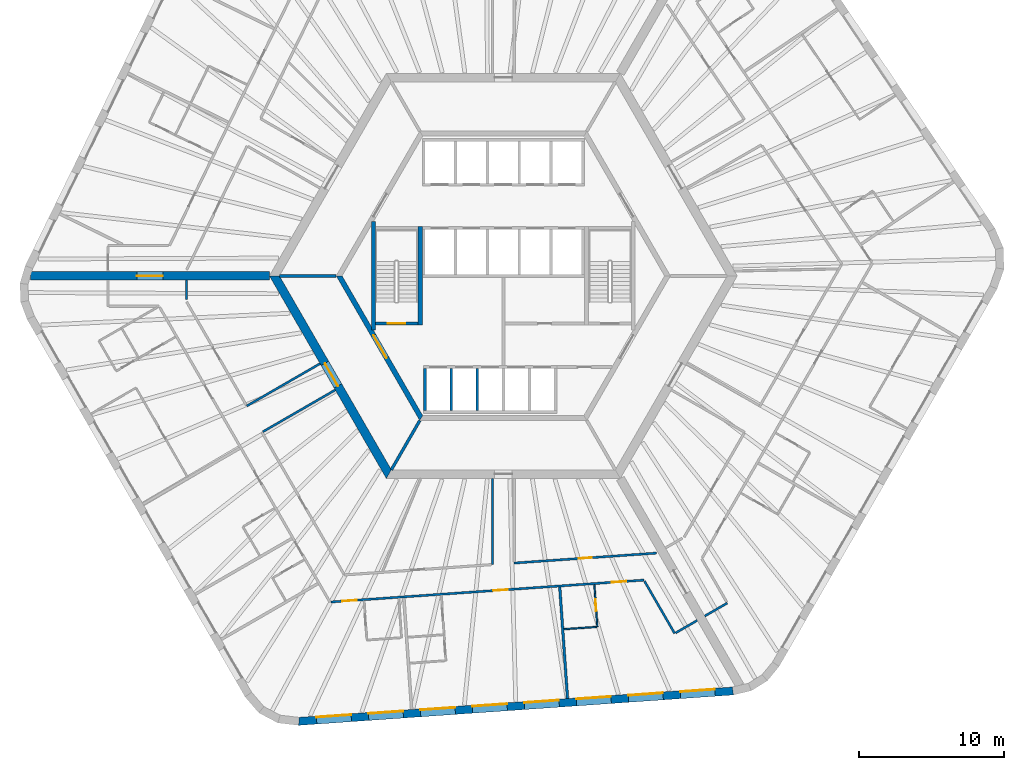
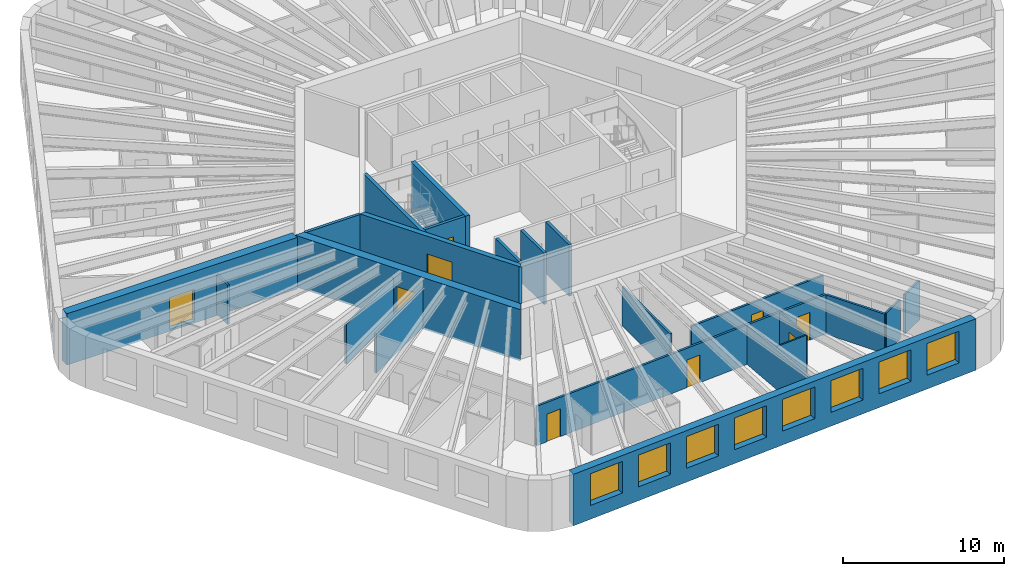
# One storey, part 4 of 12: 24 walls, 9 doors, 8 windows, 17 openings.
"""IFC4 building model written with IfcOpenShell, lengths in metres."""

from ifc_helpers import new_model, si_unit, direction, frame, frame_2d, origin, place, context, subcontext, project, spatial, polyline, rectangle, outline, extrude, material, layer, layer_set, type_object, element, fill, save


model = new_model("IFC4")

# Units and contexts
model_context = context("Model", 3, precision=1e-05, world=origin(), true_north=direction((0.0, 1.0)))
body_context = subcontext(model_context, "Body", "Model", "MODEL_VIEW")
ifc_project = project(units=[si_unit("LENGTHUNIT", "METRE"), si_unit("AREAUNIT", "SQUARE_METRE"), si_unit("VOLUMEUNIT", "CUBIC_METRE"), si_unit("PLANEANGLEUNIT", "RADIAN"), si_unit("MASSUNIT", "GRAM", prefix="KILO")], contexts=[model_context])

# Site, building, storey
site_placement = place(None, origin())
site = spatial("IfcSite", under=ifc_project, at=site_placement, CompositionType="ELEMENT")
building_placement = place(site_placement, origin())
building = spatial("IfcBuilding", under=site, at=building_placement, Name="Tarnside Tower", CompositionType="ELEMENT")
storey_placement = place(building_placement, frame((0.0, 0.0, 88.199951171875)))
storey = spatial("IfcBuildingStorey", under=building, at=storey_placement, Name="L19", CompositionType="ELEMENT", Elevation=88.199951171875)

# Wall, opening, door
ifc_material_1 = material(Name="Gypsum board partition on steel studs", Category="steel")
ifc_layer_1 = layer(ifc_material_1, 0.10009765625)
ifc_layer_set_1 = layer_set([ifc_layer_1], Name="Bathroom wall 100")
wall_type_1 = type_object("IfcWallType", Name="Bathroom wall 100", PredefinedType="PARTITIONING", material=ifc_layer_set_1)
wall_1_placement = place(storey_placement, frame((6.292724609375, -21.338134765625, 0.0), z_axis=(0.0, 0.0, 1.0), x_axis=(0.069781781132, -0.997562280272, 0.0)))
wall_1 = element("IfcWall", 1, at=wall_1_placement, inside=storey, type_object=wall_type_1, Name="Bathroom wall 05135", PredefinedType="PARTITIONING", context=body_context, shape_type="SweptSolid", body=[
    extrude(rectangle(XDim=2.9248046875, YDim=0.10009765625, at=frame_2d((1.46240234375, 0.0))), origin(), (0.0, 0.0, 1.0), 2.98779296875),
])
opening_1_placement = place(wall_1_placement, frame((1.02490234375, 0.0, 0.0)))
opening_1 = element("IfcOpeningElement", 2, at=opening_1_placement, cuts=wall_1, Name="Opening D-B1", PredefinedType="OPENING", context=body_context, shape_type="SweptSolid", body=[
    extrude(rectangle(XDim=0.800048828125, YDim=2.10009765625, at=frame_2d((0.39990234375, 1.050048828125))), frame((0.0, 0.06005859375, 0.0), z_axis=(0.0, -1.0, 0.0), x_axis=(1.0, 0.0, 0.0)), (0.0, 0.0, 1.0), 0.1201171875),
])
ifc_material_2 = material(Name="Timber door leaf", Category="wood")
door_type_1 = type_object("IfcDoorType", Name="Bathroom door 800", OperationType="NOTDEFINED", PredefinedType="DOOR", material=ifc_material_2)
door_1_placement = place(opening_1_placement, origin())
door_1 = element("IfcDoor", 3, at=door_1_placement, inside=storey, type_object=door_type_1, Name="Bathroom door 05029", OperationType="SINGLE_SWING_RIGHT", OverallHeight=2.10009765625, OverallWidth=0.800048828125, PredefinedType="DOOR", context=body_context, shape_type="SweptSolid", body=[
    extrude(rectangle(XDim=0.800048828125, YDim=2.10009765625, at=frame_2d((0.39990234375, 1.050048828125))), frame((0.0, 0.02490234375, 0.0), z_axis=(0.0, -1.0, 0.0), x_axis=(1.0, 0.0, 0.0)), (0.0, 0.0, 1.0), 0.050048828125),
])
fill(opening_1, door_1)

# Wall
wall_2_placement = place(storey_placement, frame((6.44677734375, -24.25927734375, 0.0), z_axis=(0.0, 0.0, 1.0), x_axis=(-0.997561825928, -0.069788275888, 0.0)))
element("IfcWall", 4, at=wall_2_placement, inside=storey, type_object=wall_type_1, Name="Bathroom wall 05136", PredefinedType="PARTITIONING", context=body_context, shape_type="SweptSolid", body=[
    extrude(rectangle(XDim=2.260009765625, YDim=0.10009765625, at=frame_2d((1.1298828125, 0.0))), origin(), (0.0, 0.0, 1.0), 2.98779296875),
])

# Wall, opening, door
ifc_material_3 = material(Name="Concrete C50/60", Category="concrete")
ifc_layer_2 = layer(ifc_material_3, 0.35009765625)
ifc_layer_set_2 = layer_set([ifc_layer_2], Name="Core block wall 350 C50/60")
wall_type_2 = type_object("IfcWallType", Name="Core block wall 350 C50/60", PredefinedType="SHEAR", material=ifc_layer_set_2)
wall_3_placement = place(storey_placement, frame((-11.344970703125, 0.0, -0.14990234375), z_axis=(0.0, 0.0, 1.0), x_axis=(0.499995046907, -0.866028263435, 0.0)))
wall_3 = element("IfcWall", 5, at=wall_3_placement, inside=storey, type_object=wall_type_2, Name="L19 core block wall face 3", PredefinedType="SHEAR", context=body_context, shape_type="SweptSolid", body=[
    extrude(outline(polyline([(-0.10107421875, -0.175048828125), (11.44580078125, -0.175048828125), (11.24365234375, 0.175048828125), (0.10107421875, 0.175048828125), (-0.10107421875, -0.175048828125)])), origin(), (0.0, 0.0, 1.0), 3.89990234375),
])
opening_2_placement = place(wall_3_placement, frame((4.74365234375, 0.0, 0.14990234375)))
opening_2 = element("IfcOpeningElement", 6, at=opening_2_placement, cuts=wall_3, Name="Opening CD-FFL", PredefinedType="OPENING", context=body_context, shape_type="SweptSolid", body=[
    extrude(rectangle(XDim=1.800048828125, YDim=2.39990234375, at=frame_2d((0.89990234375, 1.199951171875))), frame((0.0, 0.18505859375, 0.0), z_axis=(0.0, -1.0, 0.0), x_axis=(1.0, 0.0, 0.0)), (0.0, 0.0, 1.0), 0.3701171875),
])
ifc_material_4 = material(Name="Steel fire door", Category="steel")
door_type_2 = type_object("IfcDoorType", Name="Firefighting lobby double door FD60S 1800x2400", OperationType="NOTDEFINED", PredefinedType="DOOR", material=ifc_material_4)
door_2_placement = place(opening_2_placement, origin())
door_2 = element("IfcDoor", 7, at=door_2_placement, inside=storey, type_object=door_type_2, Name="L19 lobby block door P3", OperationType="DOUBLE_DOOR_SINGLE_SWING", OverallHeight=2.39990234375, OverallWidth=1.800048828125, PredefinedType="DOOR", context=body_context, shape_type="SweptSolid", body=[
    extrude(rectangle(XDim=1.800048828125, YDim=2.39990234375, at=frame_2d((0.89990234375, 1.199951171875))), frame((0.0, 0.02490234375, 0.0), z_axis=(0.0, -1.0, 0.0), x_axis=(1.0, 0.0, 0.0)), (0.0, 0.0, 1.0), 0.050048828125),
])
fill(opening_2, door_2)

ifc_material_5 = material(Name="Concrete C80/95", Category="concrete")
ifc_layer_3 = layer(ifc_material_5, 0.60009765625)
ifc_layer_set_3 = layer_set([ifc_layer_3], Name="Core wall Z1 600 C80/95")
wall_type_3 = type_object("IfcWallType", Name="Core wall Z1 600 C80/95", PredefinedType="SHEAR", material=ifc_layer_set_3)
wall_4_placement = place(storey_placement, frame((-15.8193359375, 0.0, -0.14990234375), z_axis=(0.0, 0.0, 1.0), x_axis=(0.499999880136, -0.866025472988, 0.0)))
wall_4 = element("IfcWall", 8, at=wall_4_placement, inside=storey, type_object=wall_type_3, Name="L19 core wall face 3", PredefinedType="SHEAR", context=body_context, shape_type="SweptSolid", body=[
    extrude(outline(polyline([(-0.17333984375, -0.300048828125), (15.99267578125, -0.300048828125), (15.64599609375, 0.300048828125), (0.17333984375, 0.300048828125), (-0.17333984375, -0.300048828125)])), origin(), (0.0, 0.0, 1.0), 3.89990234375),
])
opening_3_placement = place(wall_4_placement, frame((6.980712890625, 0.0, 0.14990234375)))
opening_3 = element("IfcOpeningElement", 9, at=opening_3_placement, cuts=wall_4, Name="Opening CD-FFL", PredefinedType="OPENING", context=body_context, shape_type="SweptSolid", body=[
    extrude(rectangle(XDim=1.800048828125, YDim=2.39990234375, at=frame_2d((0.89990234375, 1.199951171875))), frame((0.0, 0.31005859375, 0.0), z_axis=(0.0, -1.0, 0.0), x_axis=(1.0, 0.0, 0.0)), (0.0, 0.0, 1.0), 0.6201171875),
])
door_3_placement = place(opening_3_placement, origin())
door_3 = element("IfcDoor", 10, at=door_3_placement, inside=storey, type_object=door_type_2, Name="L19 core door P3", OperationType="DOUBLE_DOOR_SINGLE_SWING", OverallHeight=2.39990234375, OverallWidth=1.800048828125, PredefinedType="DOOR", context=body_context, shape_type="SweptSolid", body=[
    extrude(rectangle(XDim=1.800048828125, YDim=2.39990234375, at=frame_2d((0.89990234375, 1.199951171875))), frame((0.0, 0.02490234375, 0.0), z_axis=(0.0, -1.0, 0.0), x_axis=(1.0, 0.0, 0.0)), (0.0, 0.0, 1.0), 0.050048828125),
])
fill(opening_3, door_3)

wall_5_placement = place(storey_placement, frame((-16.165771484375, 0.0, -0.14990234375), z_axis=(0.0, 0.0, 1.0), x_axis=(-1.0, 0.0, 0.0)))
wall_5 = element("IfcWall", 11, at=wall_5_placement, inside=storey, type_object=wall_type_3, Name="L19 spine wall 2", PredefinedType="SHEAR", context=body_context, shape_type="SweptSolid", body=[
    extrude(rectangle(XDim=16.509033203125, YDim=0.60009765625, at=frame_2d((8.25439453125, 0.0))), origin(), (0.0, 0.0, 1.0), 3.89990234375),
])
opening_4_placement = place(wall_5_placement, frame((7.3544921875, 0.0, 0.14990234375)))
opening_4 = element("IfcOpeningElement", 12, at=opening_4_placement, cuts=wall_5, Name="Opening CD-SPN", PredefinedType="OPENING", context=body_context, shape_type="SweptSolid", body=[
    extrude(rectangle(XDim=1.800048828125, YDim=2.39990234375, at=frame_2d((0.89990234375, 1.199951171875))), frame((0.0, 0.31005859375, 0.0), z_axis=(0.0, -1.0, 0.0), x_axis=(1.0, 0.0, 0.0)), (0.0, 0.0, 1.0), 0.6201171875),
])
door_type_3 = type_object("IfcDoorType", Name="Spine passage double door FD60 1800x2400", OperationType="NOTDEFINED", PredefinedType="DOOR", material=ifc_material_4)
door_4_placement = place(opening_4_placement, origin())
door_4 = element("IfcDoor", 13, at=door_4_placement, inside=storey, type_object=door_type_3, Name="L19 spine passage door 2", OperationType="DOUBLE_DOOR_SINGLE_SWING", OverallHeight=2.39990234375, OverallWidth=1.800048828125, PredefinedType="DOOR", context=body_context, shape_type="SweptSolid", body=[
    extrude(rectangle(XDim=1.800048828125, YDim=2.39990234375, at=frame_2d((0.89990234375, 1.199951171875))), frame((0.0, 0.02490234375, 0.0), z_axis=(0.0, -1.0, 0.0), x_axis=(1.0, 0.0, 0.0)), (0.0, 0.0, 1.0), 0.050048828125),
])
fill(opening_4, door_4)

# Wall, openings, doors
ifc_layer_4 = layer(ifc_material_1, 0.14990234375)
ifc_layer_set_4 = layer_set([ifc_layer_4], Name="Corridor wall 150 EI 60")
wall_type_4 = type_object("IfcWallType", Name="Corridor wall 150 EI 60", PredefinedType="PARTITIONING", material=ifc_layer_set_4)
wall_6_placement = place(storey_placement, frame((-11.902099609375, -22.53515625, 0.0), z_axis=(0.0, 0.0, 1.0), x_axis=(0.997564081796, 0.069756022752, 0.0)))
wall_6 = element("IfcWall", 14, at=wall_6_placement, inside=storey, type_object=wall_type_4, Name="Corridor wall 05036", PredefinedType="PARTITIONING", context=body_context, shape_type="SweptSolid", body=[
    extrude(rectangle(XDim=21.66796875, YDim=0.14990234375, at=frame_2d((10.833984375, 0.0))), origin(), (0.0, 0.0, 1.0), 2.98779296875),
])
opening_5_placement = place(wall_6_placement, frame((0.775146484375, 0.0, 0.0)))
opening_5 = element("IfcOpeningElement", 15, at=opening_5_placement, cuts=wall_6, Name="Opening D-E1", PredefinedType="OPENING", context=body_context, shape_type="SweptSolid", body=[
    extrude(rectangle(XDim=1.0, YDim=2.10009765625, at=frame_2d((0.5, 1.050048828125))), frame((0.0, 0.0849609375, 0.0), z_axis=(0.0, -1.0, 0.0), x_axis=(1.0, 0.0, 0.0)), (0.0, 0.0, 1.0), 0.169921875),
])
opening_6_placement = place(wall_6_placement, frame((11.23388671875, 0.0, 0.0)))
opening_6 = element("IfcOpeningElement", 16, at=opening_6_placement, cuts=wall_6, Name="Opening D-E1", PredefinedType="OPENING", context=body_context, shape_type="SweptSolid", body=[
    extrude(rectangle(XDim=1.0, YDim=2.10009765625, at=frame_2d((0.5, 1.050048828125))), frame((0.0, 0.0849609375, 0.0), z_axis=(0.0, -1.0, 0.0), x_axis=(1.0, 0.0, 0.0)), (0.0, 0.0, 1.0), 0.169921875),
])
opening_7_placement = place(wall_6_placement, frame((19.450927734375, 0.0, 0.0)))
opening_7 = element("IfcOpeningElement", 17, at=opening_7_placement, cuts=wall_6, Name="Opening D-E1", PredefinedType="OPENING", context=body_context, shape_type="SweptSolid", body=[
    extrude(rectangle(XDim=1.0, YDim=2.10009765625, at=frame_2d((0.5, 1.050048828125))), frame((0.0, 0.0849609375, 0.0), z_axis=(0.0, -1.0, 0.0), x_axis=(1.0, 0.0, 0.0)), (0.0, 0.0, 1.0), 0.169921875),
])
door_type_4 = type_object("IfcDoorType", Name="Unit entrance door 1000 FD30S", OperationType="NOTDEFINED", PredefinedType="DOOR", material=ifc_material_2)
door_5_placement = place(opening_5_placement, origin())
door_5 = element("IfcDoor", 18, at=door_5_placement, inside=storey, type_object=door_type_4, Name="Unit door 05023", OperationType="SINGLE_SWING_RIGHT", OverallHeight=2.10009765625, OverallWidth=1.0, PredefinedType="DOOR", context=body_context, shape_type="SweptSolid", body=[
    extrude(rectangle(XDim=1.0, YDim=2.10009765625, at=frame_2d((0.5, 1.050048828125))), frame((0.0, 0.02490234375, 0.0), z_axis=(0.0, -1.0, 0.0), x_axis=(1.0, 0.0, 0.0)), (0.0, 0.0, 1.0), 0.050048828125),
])
fill(opening_5, door_5)
door_6_placement = place(opening_6_placement, origin())
door_6 = element("IfcDoor", 19, at=door_6_placement, inside=storey, type_object=door_type_4, Name="Unit door 05025", OperationType="SINGLE_SWING_LEFT", OverallHeight=2.10009765625, OverallWidth=1.0, PredefinedType="DOOR", context=body_context, shape_type="SweptSolid", body=[
    extrude(rectangle(XDim=1.0, YDim=2.10009765625, at=frame_2d((0.5, 1.050048828125))), frame((0.0, 0.02490234375, 0.0), z_axis=(0.0, -1.0, 0.0), x_axis=(1.0, 0.0, 0.0)), (0.0, 0.0, 1.0), 0.050048828125),
])
fill(opening_6, door_6)
door_7_placement = place(opening_7_placement, origin())
door_7 = element("IfcDoor", 20, at=door_7_placement, inside=storey, type_object=door_type_4, Name="Unit door 05028", OperationType="SINGLE_SWING_LEFT", OverallHeight=2.10009765625, OverallWidth=1.0, PredefinedType="DOOR", context=body_context, shape_type="SweptSolid", body=[
    extrude(rectangle(XDim=1.0, YDim=2.10009765625, at=frame_2d((0.5, 1.050048828125))), frame((0.0, 0.02490234375, 0.0), z_axis=(0.0, -1.0, 0.0), x_axis=(1.0, 0.0, 0.0)), (0.0, 0.0, 1.0), 0.050048828125),
])
fill(opening_7, door_7)

# Walls
wall_7_placement = place(storey_placement, frame((9.7548828125, -21.095947265625, 0.0), z_axis=(0.0, 0.0, 1.0), x_axis=(0.499995902753, -0.866027769318, 0.0)))
element("IfcWall", 21, at=wall_7_placement, inside=storey, type_object=wall_type_4, Name="Corridor wall 05042", PredefinedType="PARTITIONING", context=body_context, shape_type="SweptSolid", body=[
    extrude(rectangle(XDim=4.17333984375, YDim=0.14990234375, at=frame_2d((2.086669921875, 0.0))), origin(), (0.0, 0.0, 1.0), 2.98779296875),
])
wall_8_placement = place(storey_placement, frame((11.906494140625, -24.672607421875, 0.0), z_axis=(0.0, 0.0, 1.0), x_axis=(0.866013532718, 0.500020560727, 0.0)))
element("IfcWall", 22, at=wall_8_placement, inside=storey, type_object=wall_type_4, Name="Corridor wall 05043", PredefinedType="PARTITIONING", context=body_context, shape_type="SweptSolid", body=[
    extrude(rectangle(XDim=1.72509765625, YDim=0.14990234375, at=frame_2d((0.862548828125, 0.0))), origin(), (0.0, 0.0, 1.0), 2.98779296875),
])
wall_9_placement = place(storey_placement, frame((-12.663818359375, -6.065673828125, 0.0), z_axis=(0.0, 0.0, 1.0), x_axis=(-0.866018092707, -0.500012662943, 0.0)))
element("IfcWall", 23, at=wall_9_placement, inside=storey, type_object=wall_type_4, Name="Corridor wall 05045", PredefinedType="PARTITIONING", context=body_context, shape_type="SweptSolid", body=[
    extrude(rectangle(XDim=5.849853515625, YDim=0.14990234375, at=frame_2d((2.9248046875, 0.0))), origin(), (0.0, 0.0, 1.0), 2.98779296875),
])
wall_10_placement = place(storey_placement, frame((-21.88525390625, -1.643798828125, 0.0), z_axis=(0.0, 0.0, 1.0), x_axis=(0.0, 1.0, 0.0)))
element("IfcWall", 24, at=wall_10_placement, inside=storey, type_object=wall_type_4, Name="Corridor wall 05047", PredefinedType="PARTITIONING", context=body_context, shape_type="SweptSolid", body=[
    extrude(rectangle(XDim=1.34375, YDim=0.14990234375, at=frame_2d((0.671875, 0.0))), origin(), (0.0, 0.0, 1.0), 2.98779296875),
])
wall_11_placement = place(storey_placement, frame((-0.75, -14.0, 0.0), z_axis=(0.0, 0.0, 1.0), x_axis=(0.0, -1.0, 0.0)))
element("IfcWall", 25, at=wall_11_placement, inside=storey, type_object=wall_type_4, Name="Corridor wall 05048", PredefinedType="PARTITIONING", context=body_context, shape_type="SweptSolid", body=[
    extrude(rectangle(XDim=5.950927734375, YDim=0.14990234375, at=frame_2d((2.9755859375, 0.0))), origin(), (0.0, 0.0, 1.0), 2.98779296875),
])
wall_12_placement = place(storey_placement, frame((-16.614990234375, -10.771728515625, 0.0), z_axis=(0.0, 0.0, 1.0), x_axis=(0.866025774745, 0.499999357477, 0.0)))
element("IfcWall", 26, at=wall_12_placement, inside=storey, type_object=wall_type_4, Name="Corridor wall 05052", PredefinedType="PARTITIONING", context=body_context, shape_type="SweptSolid", body=[
    extrude(rectangle(XDim=5.77490234375, YDim=0.14990234375, at=frame_2d((2.887451171875, 0.0))), origin(), (0.0, 0.0, 1.0), 2.98779296875),
])

# Wall, opening, door
wall_13_placement = place(storey_placement, frame((10.58740234375, -19.158203125, 0.0), z_axis=(0.0, 0.0, 1.0), x_axis=(-0.997565137136, -0.069740928955, 0.0)))
wall_13 = element("IfcWall", 27, at=wall_13_placement, inside=storey, type_object=wall_type_4, Name="Corridor wall 05053", PredefinedType="PARTITIONING", context=body_context, shape_type="SweptSolid", body=[
    extrude(rectangle(XDim=9.861328125, YDim=0.14990234375, at=frame_2d((4.9306640625, 0.0))), origin(), (0.0, 0.0, 1.0), 2.98779296875),
])
opening_8_placement = place(wall_13_placement, frame((4.480712890625, 0.0, 0.0)))
opening_8 = element("IfcOpeningElement", 28, at=opening_8_placement, cuts=wall_13, Name="Opening D-S1", PredefinedType="OPENING", context=body_context, shape_type="SweptSolid", body=[
    extrude(rectangle(XDim=0.89990234375, YDim=2.10009765625, at=frame_2d((0.449951171875, 1.050048828125))), frame((0.0, 0.0849609375, 0.0), z_axis=(0.0, -1.0, 0.0), x_axis=(1.0, 0.0, 0.0)), (0.0, 0.0, 1.0), 0.169921875),
])
door_type_5 = type_object("IfcDoorType", Name="Service room door 900 FD30S", OperationType="NOTDEFINED", PredefinedType="DOOR", material=ifc_material_2)
door_8_placement = place(opening_8_placement, origin())
door_8 = element("IfcDoor", 29, at=door_8_placement, inside=storey, type_object=door_type_5, Name="Service door 05048", OperationType="SINGLE_SWING_RIGHT", OverallHeight=2.10009765625, OverallWidth=0.89990234375, PredefinedType="DOOR", context=body_context, shape_type="SweptSolid", body=[
    extrude(rectangle(XDim=0.89990234375, YDim=2.10009765625, at=frame_2d((0.449951171875, 1.050048828125))), frame((0.0, 0.02490234375, 0.0), z_axis=(0.0, -1.0, 0.0), x_axis=(1.0, 0.0, 0.0)), (0.0, 0.0, 1.0), 0.050048828125),
])
fill(opening_8, door_8)

# Walls
wall_14_placement = place(storey_placement, frame((13.919921875, -23.510009765625, 0.0), z_axis=(0.0, 0.0, 1.0), x_axis=(0.866047807691, 0.499961193289, 0.0)))
element("IfcWall", 30, at=wall_14_placement, inside=storey, type_object=wall_type_4, Name="Corridor wall 05055", PredefinedType="PARTITIONING", context=body_context, shape_type="SweptSolid", body=[
    extrude(rectangle(XDim=1.800048828125, YDim=0.14990234375, at=frame_2d((0.89990234375, 0.0))), origin(), (0.0, 0.0, 1.0), 2.98779296875),
])
ifc_layer_5 = layer(ifc_material_1, 0.179931640625)
ifc_layer_set_5 = layer_set([ifc_layer_5], Name="Demising wall 180 EI 60")
wall_type_5 = type_object("IfcWallType", Name="Demising wall 180 EI 60", PredefinedType="PARTITIONING", material=ifc_layer_set_5)
wall_15_placement = place(storey_placement, frame((4.4375, -29.211669921875, 0.0), z_axis=(0.0, 0.0, 1.0), x_axis=(-0.069780381152, 0.997562378203, 0.0)))
element("IfcWall", 31, at=wall_15_placement, inside=storey, type_object=wall_type_5, Name="Demising wall 05132", PredefinedType="PARTITIONING", context=body_context, shape_type="SweptSolid", body=[
    extrude(rectangle(XDim=7.72509765625, YDim=0.179931640625, at=frame_2d((3.862548828125, 0.0))), origin(), (0.0, 0.0, 1.0), 2.98779296875),
])
ifc_material_6 = material(Name="Concrete C40/50", Category="concrete")
ifc_layer_6 = layer(ifc_material_6, 0.199951171875)
ifc_layer_set_6 = layer_set([ifc_layer_6], Name="Lift shaft wall 200 C40/50")
wall_type_6 = type_object("IfcWallType", Name="Lift shaft wall 200 C40/50", PredefinedType="SHEAR", material=ifc_layer_set_6)
for number, where, z_axis, x_axis, name in (
    (32, (-5.39990234375, -9.300048828125, -0.25), (0.0, 0.0, 1.0), (0.0, 1.0, 0.0), "L19 lift shaft partition R41"),
    (33, (-3.60009765625, -9.300048828125, -0.25), (0.0, 0.0, 1.0), (0.0, 1.0, 0.0), "L19 lift shaft partition R42"),
    (34, (-1.800048828125, -9.300048828125, -0.25), (0.0, 0.0, 1.0), (0.0, 1.0, 0.0), "L19 lift shaft partition R43"),
):
    element("IfcWall", number, at=place(storey_placement, frame(where, z_axis=z_axis, x_axis=x_axis)), inside=storey, type_object=wall_type_6, Name=name, PredefinedType="SHEAR", context=body_context, shape_type="SweptSolid", body=[
        extrude(rectangle(XDim=2.900146484375, YDim=0.199951171875, at=frame_2d((1.4501953125, 0.0))), origin(), (0.0, 0.0, 1.0), 3.900146484375),
    ])
wall_16_placement = place(storey_placement, frame((-11.547119140625, 0.0, -0.14990234375), z_axis=(0.0, 0.0, 1.0), x_axis=(-1.0, 0.0, 0.0)))
element("IfcWall", 35, at=wall_16_placement, inside=storey, type_object=wall_type_6, Name="L19 core partition AR180", PredefinedType="SHEAR", context=body_context, shape_type="SweptSolid", body=[
    extrude(rectangle(XDim=3.92578125, YDim=0.199951171875, at=frame_2d((1.962890625, 0.0))), origin(), (0.0, 0.0, 1.0), 3.89990234375),
])
wall_17_placement = place(storey_placement, frame((-5.7734375, -10.0, -0.14990234375), z_axis=(0.0, 0.0, 1.0), x_axis=(-0.500038251005, -0.86600331843, 0.0)))
element("IfcWall", 36, at=wall_17_placement, inside=storey, type_object=wall_type_6, Name="L19 core partition AR240", PredefinedType="SHEAR", context=body_context, shape_type="SweptSolid", body=[
    extrude(rectangle(XDim=3.926025390625, YDim=0.199951171875, at=frame_2d((1.962890625, 0.0))), origin(), (0.0, 0.0, 1.0), 3.89990234375),
])

# Wall, opening, door
wall_18_placement = place(storey_placement, frame((-8.85009765625, -3.300048828125, -0.25), z_axis=(0.0, 0.0, 1.0), x_axis=(1.0, 0.0, 0.0)))
wall_18 = element("IfcWall", 37, at=wall_18_placement, inside=storey, type_object=wall_type_6, Name="L19 stair 2 enclosure cap wall s", PredefinedType="SHEAR", context=body_context, shape_type="SweptSolid", body=[
    extrude(rectangle(XDim=2.9501953125, YDim=0.199951171875, at=frame_2d((1.47509765625, 0.0))), origin(), (0.0, 0.0, 1.0), 3.900146484375),
])
opening_9_placement = place(wall_18_placement, frame((0.875, 0.0, 0.25)))
opening_9 = element("IfcOpeningElement", 38, at=opening_9_placement, cuts=wall_18, Name="Opening CD-STR", PredefinedType="OPENING", context=body_context, shape_type="SweptSolid", body=[
    extrude(rectangle(XDim=1.199951171875, YDim=2.39990234375, at=frame_2d((0.60009765625, 1.199951171875))), frame((0.0, 0.10986328125, 0.0), z_axis=(0.0, -1.0, 0.0), x_axis=(1.0, 0.0, 0.0)), (0.0, 0.0, 1.0), 0.219970703125),
])
door_type_6 = type_object("IfcDoorType", Name="Stair door FD60S 1200x2400", OperationType="NOTDEFINED", PredefinedType="DOOR", material=ifc_material_4)
door_9_placement = place(opening_9_placement, origin())
door_9 = element("IfcDoor", 39, at=door_9_placement, inside=storey, type_object=door_type_6, Name="L19 stair 2 door", OperationType="SINGLE_SWING_LEFT", OverallHeight=2.39990234375, OverallWidth=1.199951171875, PredefinedType="DOOR", context=body_context, shape_type="SweptSolid", body=[
    extrude(rectangle(XDim=1.199951171875, YDim=2.39990234375, at=frame_2d((0.60009765625, 1.199951171875))), frame((0.0, 0.02490234375, 0.0), z_axis=(0.0, -1.0, 0.0), x_axis=(1.0, 0.0, 0.0)), (0.0, 0.0, 1.0), 0.050048828125),
])
fill(opening_9, door_9)

# Walls
ifc_layer_7 = layer(ifc_material_6, 0.25)
ifc_layer_set_7 = layer_set([ifc_layer_7], Name="Stair enclosure wall 250 C40/50")
wall_type_7 = type_object("IfcWallType", Name="Stair enclosure wall 250 C40/50", PredefinedType="SHEAR", material=ifc_layer_set_7)
wall_19_placement = place(storey_placement, frame((-8.97509765625, -3.7548828125, -0.25), z_axis=(0.0, 0.0, 1.0), x_axis=(0.0, 1.0, 0.0)))
element("IfcWall", 40, at=wall_19_placement, inside=storey, type_object=wall_type_7, Name="L19 stair 2 enclosure wall outer", PredefinedType="SHEAR", context=body_context, shape_type="SweptSolid", body=[
    extrude(rectangle(XDim=7.509765625, YDim=0.25, at=frame_2d((3.7548828125, 0.0))), origin(), (0.0, 0.0, 1.0), 3.900146484375),
])
ifc_layer_8 = layer(ifc_material_6, 0.300048828125)
ifc_layer_set_8 = layer_set([ifc_layer_8], Name="Stair enclosure wall 300 C40/50")
wall_type_8 = type_object("IfcWallType", Name="Stair enclosure wall 300 C40/50", PredefinedType="SHEAR", material=ifc_layer_set_8)
wall_20_placement = place(storey_placement, frame((-5.75, -3.39990234375, -0.25), z_axis=(0.0, 0.0, 1.0), x_axis=(0.0, 1.0, 0.0)))
element("IfcWall", 41, at=wall_20_placement, inside=storey, type_object=wall_type_8, Name="L19 stair 2 enclosure wall inner", PredefinedType="SHEAR", context=body_context, shape_type="SweptSolid", body=[
    extrude(rectangle(XDim=6.7998046875, YDim=0.300048828125, at=frame_2d((3.39990234375, 0.0))), origin(), (0.0, 0.0, 1.0), 3.900146484375),
])

# Wall, openings, windows
ifc_material_7 = material(Name="Facing brick", Category="masonry")
ifc_layer_9 = layer(ifc_material_7, 0.10205078125)
ifc_material_8 = material(Name="Concrete C60/75 precast", Category="concrete")
ifc_layer_10 = layer(ifc_material_8, 0.347900390625)
ifc_material_9 = material(Name="Mineral wool insulation")
ifc_layer_11 = layer(ifc_material_9, 0.10009765625)
ifc_layer_set_9 = layer_set([ifc_layer_9, ifc_layer_10, ifc_layer_11], Name="Tube wall 550 brick faced")
wall_type_9 = type_object("IfcWallType", Name="Tube wall 550 brick faced", PredefinedType="SOLIDWALL", material=ifc_layer_set_9)
wall_21_placement = place(storey_placement, frame((-14.133544921875, -30.785888671875, -0.14990234375), z_axis=(0.0, 0.0, 1.0), x_axis=(0.997564037441, 0.069756657061, 0.0)))
wall_21 = element("IfcWall", 42, at=wall_21_placement, inside=storey, type_object=wall_type_9, Name="Tube wall L19 F4 flush 12", PredefinedType="SOLIDWALL", context=body_context, shape_type="SweptSolid", body=[
    extrude(outline(polyline([(-0.025634765625, -0.27490234375), (30.093505859375, -0.27490234375), (30.048583984375, 0.27490234375), (0.025634765625, 0.27490234375), (-0.025634765625, -0.27490234375)])), origin(), (0.0, 0.0, 1.0), 3.89990234375),
])
opening_10_placement = place(wall_21_placement, frame((1.235595703125, 0.0, 1.050048828125)))
opening_10 = element("IfcOpeningElement", 43, at=opening_10_placement, cuts=wall_21, Name="Opening WH", PredefinedType="OPENING", context=body_context, shape_type="SweptSolid", body=[
    extrude(rectangle(XDim=2.39990234375, YDim=2.39990234375, at=frame_2d((1.199951171875, 1.199951171875))), frame((0.0, 0.28515625, 0.0), z_axis=(0.0, -1.0, 0.0), x_axis=(1.0, 0.0, 0.0)), (0.0, 0.0, 1.0), 0.570068359375),
])
opening_11_placement = place(wall_21_placement, frame((4.83544921875, 0.0, 1.050048828125)))
opening_11 = element("IfcOpeningElement", 44, at=opening_11_placement, cuts=wall_21, Name="Opening WH", PredefinedType="OPENING", context=body_context, shape_type="SweptSolid", body=[
    extrude(rectangle(XDim=2.39990234375, YDim=2.39990234375, at=frame_2d((1.199951171875, 1.199951171875))), frame((0.0, 0.28515625, 0.0), z_axis=(0.0, -1.0, 0.0), x_axis=(1.0, 0.0, 0.0)), (0.0, 0.0, 1.0), 0.570068359375),
])
opening_12_placement = place(wall_21_placement, frame((8.435546875, 0.0, 1.050048828125)))
opening_12 = element("IfcOpeningElement", 45, at=opening_12_placement, cuts=wall_21, Name="Opening WH", PredefinedType="OPENING", context=body_context, shape_type="SweptSolid", body=[
    extrude(rectangle(XDim=2.39990234375, YDim=2.39990234375, at=frame_2d((1.199951171875, 1.199951171875))), frame((0.0, 0.28515625, 0.0), z_axis=(0.0, -1.0, 0.0), x_axis=(1.0, 0.0, 0.0)), (0.0, 0.0, 1.0), 0.570068359375),
])
opening_13_placement = place(wall_21_placement, frame((12.035400390625, 0.0, 1.050048828125)))
opening_13 = element("IfcOpeningElement", 46, at=opening_13_placement, cuts=wall_21, Name="Opening WH", PredefinedType="OPENING", context=body_context, shape_type="SweptSolid", body=[
    extrude(rectangle(XDim=2.39990234375, YDim=2.39990234375, at=frame_2d((1.199951171875, 1.199951171875))), frame((0.0, 0.28515625, 0.0), z_axis=(0.0, -1.0, 0.0), x_axis=(1.0, 0.0, 0.0)), (0.0, 0.0, 1.0), 0.570068359375),
])
opening_14_placement = place(wall_21_placement, frame((15.635498046875, 0.0, 1.050048828125)))
opening_14 = element("IfcOpeningElement", 47, at=opening_14_placement, cuts=wall_21, Name="Opening WH", PredefinedType="OPENING", context=body_context, shape_type="SweptSolid", body=[
    extrude(rectangle(XDim=2.39990234375, YDim=2.39990234375, at=frame_2d((1.199951171875, 1.199951171875))), frame((0.0, 0.28515625, 0.0), z_axis=(0.0, -1.0, 0.0), x_axis=(1.0, 0.0, 0.0)), (0.0, 0.0, 1.0), 0.570068359375),
])
opening_15_placement = place(wall_21_placement, frame((19.235595703125, 0.0, 1.050048828125)))
opening_15 = element("IfcOpeningElement", 48, at=opening_15_placement, cuts=wall_21, Name="Opening WH", PredefinedType="OPENING", context=body_context, shape_type="SweptSolid", body=[
    extrude(rectangle(XDim=2.39990234375, YDim=2.39990234375, at=frame_2d((1.199951171875, 1.199951171875))), frame((0.0, 0.28515625, 0.0), z_axis=(0.0, -1.0, 0.0), x_axis=(1.0, 0.0, 0.0)), (0.0, 0.0, 1.0), 0.570068359375),
])
opening_16_placement = place(wall_21_placement, frame((22.83544921875, 0.0, 1.050048828125)))
opening_16 = element("IfcOpeningElement", 49, at=opening_16_placement, cuts=wall_21, Name="Opening WH", PredefinedType="OPENING", context=body_context, shape_type="SweptSolid", body=[
    extrude(rectangle(XDim=2.39990234375, YDim=2.39990234375, at=frame_2d((1.199951171875, 1.199951171875))), frame((0.0, 0.28515625, 0.0), z_axis=(0.0, -1.0, 0.0), x_axis=(1.0, 0.0, 0.0)), (0.0, 0.0, 1.0), 0.570068359375),
])
opening_17_placement = place(wall_21_placement, frame((26.435546875, 0.0, 1.050048828125)))
opening_17 = element("IfcOpeningElement", 50, at=opening_17_placement, cuts=wall_21, Name="Opening WH", PredefinedType="OPENING", context=body_context, shape_type="SweptSolid", body=[
    extrude(rectangle(XDim=2.39990234375, YDim=2.39990234375, at=frame_2d((1.199951171875, 1.199951171875))), frame((0.0, 0.28515625, 0.0), z_axis=(0.0, -1.0, 0.0), x_axis=(1.0, 0.0, 0.0)), (0.0, 0.0, 1.0), 0.570068359375),
])
ifc_material_10 = material(Name="Aluminium-framed double glazing", Category="aluminium")
window_type = type_object("IfcWindowType", Name="Hotel window 2400 x 2400", PartitioningType="DOUBLE_PANEL_VERTICAL", PredefinedType="WINDOW", material=ifc_material_10)
window_1_placement = place(opening_10_placement, frame((0.0, 0.205078125, 0.0)))
window_1 = element("IfcWindow", 51, at=window_1_placement, inside=storey, type_object=window_type, Name="E.WN.L19.F4.00", OverallHeight=2.39990234375, OverallWidth=2.39990234375, PartitioningType="DOUBLE_PANEL_VERTICAL", PredefinedType="WINDOW", context=body_context, shape_type="SweptSolid", body=[
    extrude(rectangle(XDim=2.39990234375, YDim=2.39990234375, at=frame_2d((1.199951171875, 1.199951171875))), frame((0.0, 0.030029296875, 0.0), z_axis=(0.0, -1.0, 0.0), x_axis=(1.0, 0.0, 0.0)), (0.0, 0.0, 1.0), 0.06005859375),
])
fill(opening_10, window_1)
window_2_placement = place(opening_11_placement, frame((0.0, 0.205078125, 0.0)))
window_2 = element("IfcWindow", 52, at=window_2_placement, inside=storey, type_object=window_type, Name="E.WN.L19.F4.01", OverallHeight=2.39990234375, OverallWidth=2.39990234375, PartitioningType="DOUBLE_PANEL_VERTICAL", PredefinedType="WINDOW", context=body_context, shape_type="SweptSolid", body=[
    extrude(rectangle(XDim=2.39990234375, YDim=2.39990234375, at=frame_2d((1.199951171875, 1.199951171875))), frame((0.0, 0.030029296875, 0.0), z_axis=(0.0, -1.0, 0.0), x_axis=(1.0, 0.0, 0.0)), (0.0, 0.0, 1.0), 0.06005859375),
])
fill(opening_11, window_2)
window_3_placement = place(opening_12_placement, frame((0.0, 0.205078125, 0.0)))
window_3 = element("IfcWindow", 53, at=window_3_placement, inside=storey, type_object=window_type, Name="E.WN.L19.F4.02", OverallHeight=2.39990234375, OverallWidth=2.39990234375, PartitioningType="DOUBLE_PANEL_VERTICAL", PredefinedType="WINDOW", context=body_context, shape_type="SweptSolid", body=[
    extrude(rectangle(XDim=2.39990234375, YDim=2.39990234375, at=frame_2d((1.199951171875, 1.199951171875))), frame((0.0, 0.030029296875, 0.0), z_axis=(0.0, -1.0, 0.0), x_axis=(1.0, 0.0, 0.0)), (0.0, 0.0, 1.0), 0.06005859375),
])
fill(opening_12, window_3)
window_4_placement = place(opening_13_placement, frame((0.0, 0.205078125, 0.0)))
window_4 = element("IfcWindow", 54, at=window_4_placement, inside=storey, type_object=window_type, Name="E.WN.L19.F4.03", OverallHeight=2.39990234375, OverallWidth=2.39990234375, PartitioningType="DOUBLE_PANEL_VERTICAL", PredefinedType="WINDOW", context=body_context, shape_type="SweptSolid", body=[
    extrude(rectangle(XDim=2.39990234375, YDim=2.39990234375, at=frame_2d((1.199951171875, 1.199951171875))), frame((0.0, 0.030029296875, 0.0), z_axis=(0.0, -1.0, 0.0), x_axis=(1.0, 0.0, 0.0)), (0.0, 0.0, 1.0), 0.06005859375),
])
fill(opening_13, window_4)
window_5_placement = place(opening_14_placement, frame((0.0, 0.205078125, 0.0)))
window_5 = element("IfcWindow", 55, at=window_5_placement, inside=storey, type_object=window_type, Name="E.WN.L19.F4.04", OverallHeight=2.39990234375, OverallWidth=2.39990234375, PartitioningType="DOUBLE_PANEL_VERTICAL", PredefinedType="WINDOW", context=body_context, shape_type="SweptSolid", body=[
    extrude(rectangle(XDim=2.39990234375, YDim=2.39990234375, at=frame_2d((1.199951171875, 1.199951171875))), frame((0.0, 0.030029296875, 0.0), z_axis=(0.0, -1.0, 0.0), x_axis=(1.0, 0.0, 0.0)), (0.0, 0.0, 1.0), 0.06005859375),
])
fill(opening_14, window_5)
window_6_placement = place(opening_15_placement, frame((0.0, 0.205078125, 0.0)))
window_6 = element("IfcWindow", 56, at=window_6_placement, inside=storey, type_object=window_type, Name="E.WN.L19.F4.05", OverallHeight=2.39990234375, OverallWidth=2.39990234375, PartitioningType="DOUBLE_PANEL_VERTICAL", PredefinedType="WINDOW", context=body_context, shape_type="SweptSolid", body=[
    extrude(rectangle(XDim=2.39990234375, YDim=2.39990234375, at=frame_2d((1.199951171875, 1.199951171875))), frame((0.0, 0.030029296875, 0.0), z_axis=(0.0, -1.0, 0.0), x_axis=(1.0, 0.0, 0.0)), (0.0, 0.0, 1.0), 0.06005859375),
])
fill(opening_15, window_6)
window_7_placement = place(opening_16_placement, frame((0.0, 0.205078125, 0.0)))
window_7 = element("IfcWindow", 57, at=window_7_placement, inside=storey, type_object=window_type, Name="E.WN.L19.F4.06", OverallHeight=2.39990234375, OverallWidth=2.39990234375, PartitioningType="DOUBLE_PANEL_VERTICAL", PredefinedType="WINDOW", context=body_context, shape_type="SweptSolid", body=[
    extrude(rectangle(XDim=2.39990234375, YDim=2.39990234375, at=frame_2d((1.199951171875, 1.199951171875))), frame((0.0, 0.030029296875, 0.0), z_axis=(0.0, -1.0, 0.0), x_axis=(1.0, 0.0, 0.0)), (0.0, 0.0, 1.0), 0.06005859375),
])
fill(opening_16, window_7)
window_8_placement = place(opening_17_placement, frame((0.0, 0.205078125, 0.0)))
window_8 = element("IfcWindow", 58, at=window_8_placement, inside=storey, type_object=window_type, Name="E.WN.L19.F4.07", OverallHeight=2.39990234375, OverallWidth=2.39990234375, PartitioningType="DOUBLE_PANEL_VERTICAL", PredefinedType="WINDOW", context=body_context, shape_type="SweptSolid", body=[
    extrude(rectangle(XDim=2.39990234375, YDim=2.39990234375, at=frame_2d((1.199951171875, 1.199951171875))), frame((0.0, 0.030029296875, 0.0), z_axis=(0.0, -1.0, 0.0), x_axis=(1.0, 0.0, 0.0)), (0.0, 0.0, 1.0), 0.06005859375),
])
fill(opening_17, window_8)

save(model, "model.ifc")
